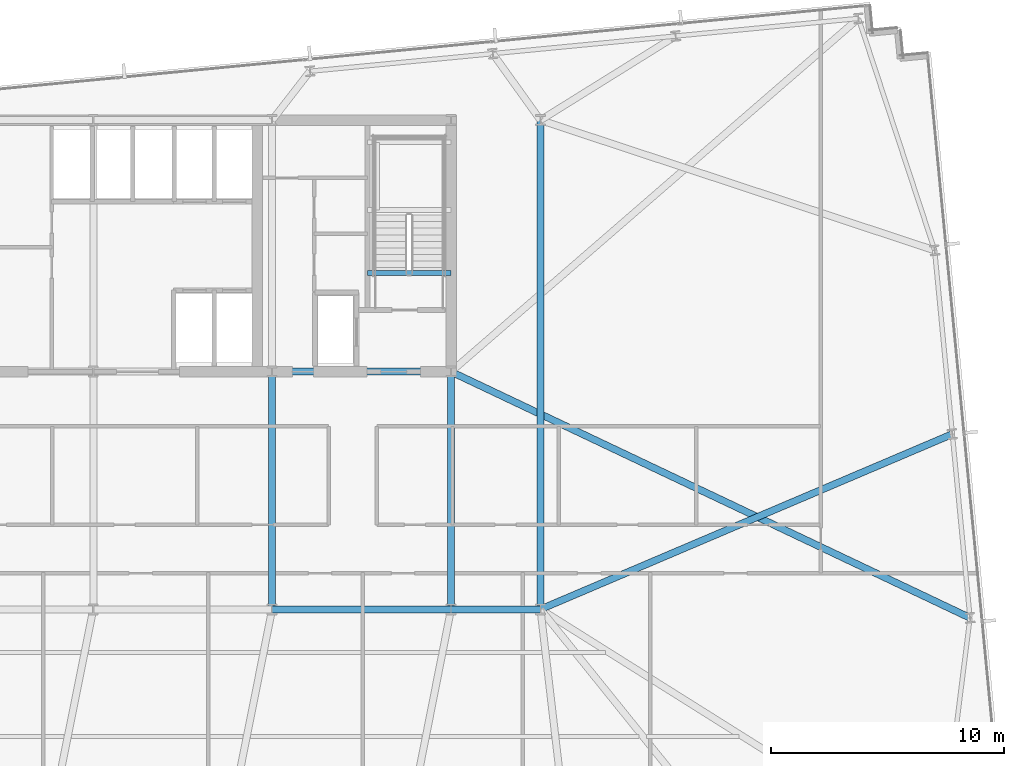
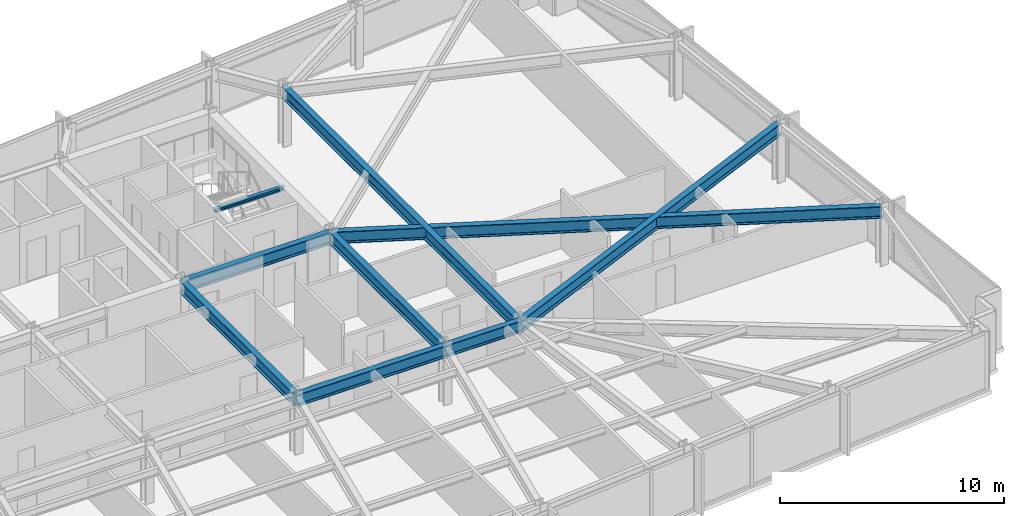
# One storey, part 15 of 33: 9 beams.
"""IFC4 building model written with IfcOpenShell, lengths in metres."""

from ifc_helpers import new_model, si_unit, direction, frame, origin, origin_2d, place, context, subcontext, project, spatial, i_section, extrude, material, material_profile, profile_set, type_object, element, save


model = new_model("IFC4")

# Units and contexts
model_context = context("Model", 3, precision=1e-05, world=origin(), true_north=direction((0.0, 1.0)))
body_context = subcontext(model_context, "Body", "Model", "MODEL_VIEW")
ifc_project = project(units=[si_unit("LENGTHUNIT", "METRE"), si_unit("AREAUNIT", "SQUARE_METRE"), si_unit("VOLUMEUNIT", "CUBIC_METRE"), si_unit("PLANEANGLEUNIT", "RADIAN"), si_unit("MASSUNIT", "GRAM", prefix="KILO")], contexts=[model_context])

# Site, building, storey
site_placement = place(None, origin())
site = spatial("IfcSite", under=ifc_project, at=site_placement, CompositionType="ELEMENT")
building_placement = place(site_placement, origin())
building = spatial("IfcBuilding", under=site, at=building_placement, Name="Yelkora Congress Tower", CompositionType="ELEMENT")
storey_placement = place(building_placement, frame((0.0, 0.0, 110.10009765625)))
storey = spatial("IfcBuildingStorey", under=building, at=storey_placement, Name="L29", CompositionType="ELEMENT", Elevation=110.10009765625)

# Beams
ifc_material = material(Name="Steel S355J2", Category="steel")
ifc_material_profile_1 = material_profile(ifc_material, i_section(OverallWidth=0.300048828125, OverallDepth=0.64990234375, WebThickness=0.01611328125, FlangeThickness=0.031005859375, FilletRadius=0.027099609375, at=origin_2d()), Name="HEB 650")
ifc_profile_set_1 = profile_set([ifc_material_profile_1], Name="Steel S355J2")
beam_type_1 = type_object("IfcBeamType", Name="BM-GIRD-HEB650", PredefinedType="BEAM", material=ifc_profile_set_1)
beam_1_placement = place(storey_placement, frame((46.080078125, 25.199951171875, 2.85498046875), z_axis=(1.0, 0.0, 0.0), x_axis=(0.0, 1.0, 0.0)))
element("IfcBeam", 1, at=beam_1_placement, inside=storey, type_object=beam_type_1, Name="L29 Spine Grid D Girder 5", PredefinedType="BEAM", context=body_context, shape_type="SweptSolid", body=[
    extrude(i_section(OverallWidth=0.300048828125, OverallDepth=0.64990234375, WebThickness=0.01611328125, FlangeThickness=0.031005859375, FilletRadius=0.027099609375, at=origin_2d()), origin(), (0.0, 0.0, 1.0), 7.679931640625),
])
beam_2_placement = place(storey_placement, frame((53.760009765625, 25.199951171875, 2.85498046875), z_axis=(1.0, 0.0, 0.0), x_axis=(0.0, 1.0, 0.0)))
element("IfcBeam", 2, at=beam_2_placement, inside=storey, type_object=beam_type_1, Name="L29 Spine Grid D Girder 6", PredefinedType="BEAM", context=body_context, shape_type="SweptSolid", body=[
    extrude(i_section(OverallWidth=0.300048828125, OverallDepth=0.64990234375, WebThickness=0.01611328125, FlangeThickness=0.031005859375, FilletRadius=0.027099609375, at=origin_2d()), origin(), (0.0, 0.0, 1.0), 3.840087890625),
])
beam_3_placement = place(storey_placement, frame((46.080078125, 35.39990234375, 2.85498046875), z_axis=(1.0, 0.0, 0.0), x_axis=(0.0, 1.0, 0.0)))
element("IfcBeam", 3, at=beam_3_placement, inside=storey, type_object=beam_type_1, Name="L29 Core South Girder 4", PredefinedType="BEAM", context=body_context, shape_type="SweptSolid", body=[
    extrude(i_section(OverallWidth=0.300048828125, OverallDepth=0.64990234375, WebThickness=0.01611328125, FlangeThickness=0.031005859375, FilletRadius=0.027099609375, at=origin_2d()), origin(), (0.0, 0.0, 1.0), 7.679931640625),
])
for number, where, z_axis, x_axis, name in (
    (4, (46.080078125, 25.199951171875, 2.85498046875), (0.0, 1.0, 0.0), (-1.0, 0.0, 0.0), "L29 Core Tie Girder MC-D4"),
    (5, (53.760009765625, 25.199951171875, 2.85498046875), (0.0, 1.0, 0.0), (-1.0, 0.0, 0.0), "L29 Core Tie Girder MC-D5"),
):
    element("IfcBeam", number, at=place(storey_placement, frame(where, z_axis=z_axis, x_axis=x_axis)), inside=storey, type_object=beam_type_1, Name=name, PredefinedType="BEAM", context=body_context, shape_type="SweptSolid", body=[
        extrude(i_section(OverallWidth=0.300048828125, OverallDepth=0.64990234375, WebThickness=0.01611328125, FlangeThickness=0.031005859375, FilletRadius=0.027099609375, at=origin_2d()), origin(), (0.0, 0.0, 1.0), 10.199951171875),
    ])
beam_4_placement = place(storey_placement, frame((57.60009765625, 25.199951171875, 2.85498046875), z_axis=(0.0, 1.0, 0.0), x_axis=(-1.0, 0.0, 0.0)))
element("IfcBeam", 6, at=beam_4_placement, inside=storey, type_object=beam_type_1, Name="L29 Neck Flank Girder MC-F2", PredefinedType="BEAM", context=body_context, shape_type="SweptSolid", body=[
    extrude(i_section(OverallWidth=0.300048828125, OverallDepth=0.64990234375, WebThickness=0.01611328125, FlangeThickness=0.031005859375, FilletRadius=0.027099609375, at=origin_2d()), origin(), (0.0, 0.0, 1.0), 21.0),
])
beam_5_placement = place(storey_placement, frame((76.041259765625, 24.83349609375, 2.85498046875), z_axis=(-0.903547447445, 0.428488051427, 0.0), x_axis=(-0.428488051427, -0.903547447445, 0.0)))
element("IfcBeam", 7, at=beam_5_placement, inside=storey, type_object=beam_type_1, Name="L29 Primary Frame Girder E01", PredefinedType="BEAM", context=body_context, shape_type="SweptSolid", body=[
    extrude(i_section(OverallWidth=0.300048828125, OverallDepth=0.64990234375, WebThickness=0.01611328125, FlangeThickness=0.031005859375, FilletRadius=0.027099609375, at=origin_2d()), origin(), (0.0, 0.0, 1.0), 24.65966796875),
])
beam_6_placement = place(storey_placement, frame((75.28173828125, 32.721923828125, 2.85498046875), z_axis=(-0.920194564302, -0.391461318432, 0.0), x_axis=(0.391461318432, -0.920194564302, 0.0)))
element("IfcBeam", 8, at=beam_6_placement, inside=storey, type_object=beam_type_1, Name="L29 Primary Frame Girder E02", PredefinedType="BEAM", context=body_context, shape_type="SweptSolid", body=[
    extrude(i_section(OverallWidth=0.300048828125, OverallDepth=0.64990234375, WebThickness=0.01611328125, FlangeThickness=0.031005859375, FilletRadius=0.027099609375, at=origin_2d()), origin(), (0.0, 0.0, 1.0), 19.215087890625),
])
ifc_material_profile_2 = material_profile(ifc_material, i_section(OverallWidth=0.199951171875, OverallDepth=0.18994140625, WebThickness=0.006591796875, FlangeThickness=0.010009765625, FilletRadius=0.01806640625, at=origin_2d()), Name="HEA 200")
ifc_profile_set_2 = profile_set([ifc_material_profile_2], Name="Steel S355J2")
beam_type_2 = type_object("IfcBeamType", Name="BM-LAND-HEA200", PredefinedType="BEAM", material=ifc_profile_set_2)
beam_7_placement = place(storey_placement, frame((50.179931640625, 39.639892578125, 2.947265625), z_axis=(1.0, 0.0, 0.0), x_axis=(0.0, 1.0, 0.0)))
element("IfcBeam", 9, at=beam_7_placement, inside=storey, type_object=beam_type_2, Name="ST-02 L29 Floor Arrival Stringer Header Beam", PredefinedType="BEAM", context=body_context, shape_type="SweptSolid", body=[
    extrude(i_section(OverallWidth=0.199951171875, OverallDepth=0.18994140625, WebThickness=0.006591796875, FlangeThickness=0.010009765625, FilletRadius=0.01806640625, at=origin_2d()), origin(), (0.0, 0.0, 1.0), 3.580078125),
])

save(model, "model.ifc")
